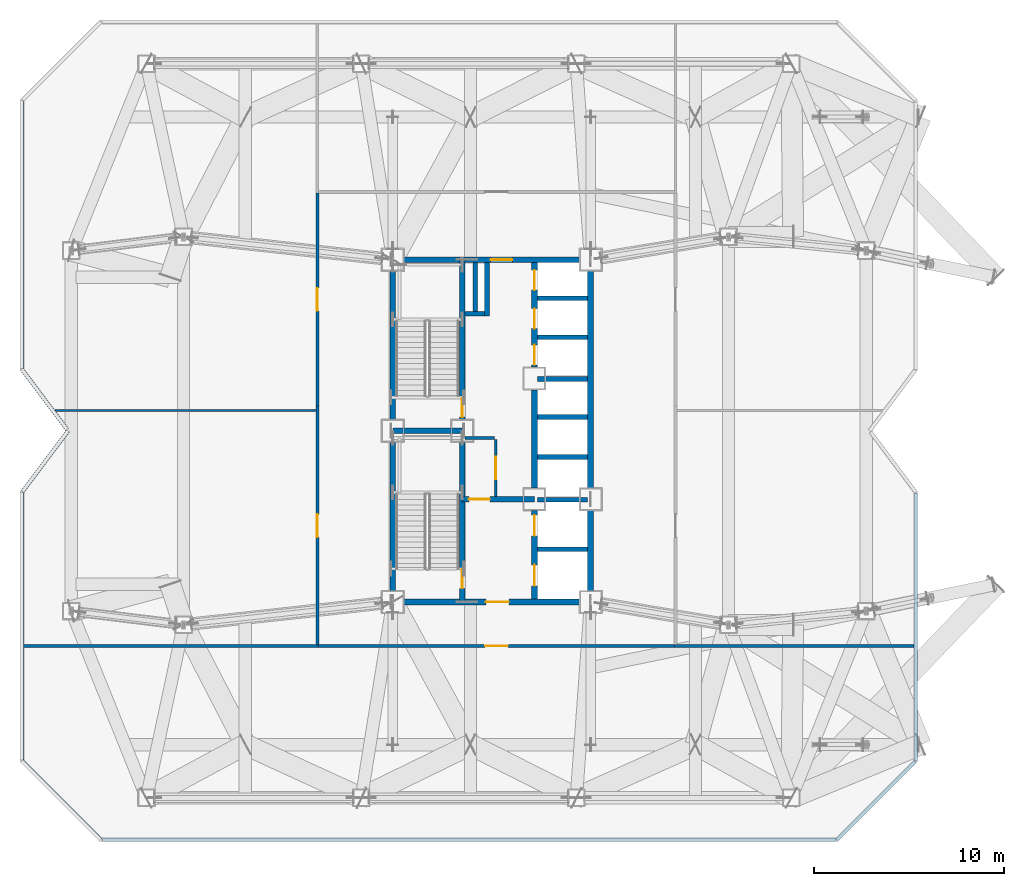
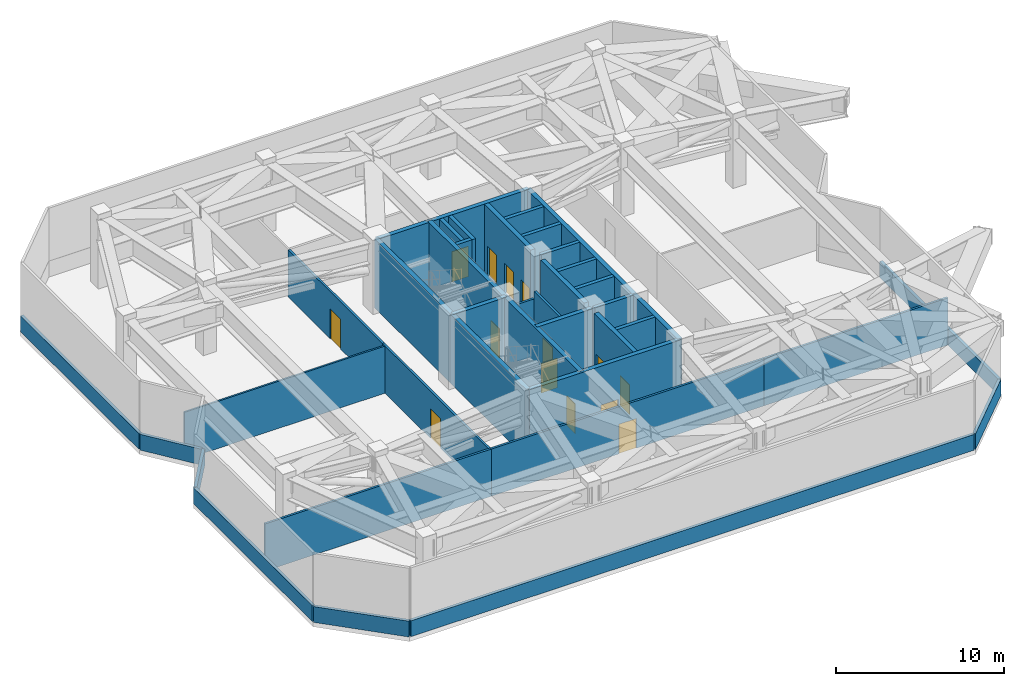
# One storey, part 15 of 19: 39 walls, 14 doors, 14 openings.
"""IFC4 building model written with IfcOpenShell, lengths in metres."""

from ifc_helpers import new_model, si_unit, direction, frame, frame_2d, origin, place, context, subcontext, project, spatial, rectangle, extrude, material, layer, layer_set, type_object, element, fill, save


model = new_model("IFC4")

# Units and contexts
model_context = context("Model", 3, precision=1e-05, world=origin(), true_north=direction((0.0, 1.0)))
body_context = subcontext(model_context, "Body", "Model", "MODEL_VIEW")
ifc_project = project(units=[si_unit("LENGTHUNIT", "METRE"), si_unit("AREAUNIT", "SQUARE_METRE"), si_unit("VOLUMEUNIT", "CUBIC_METRE"), si_unit("PLANEANGLEUNIT", "RADIAN"), si_unit("MASSUNIT", "GRAM", prefix="KILO")], contexts=[model_context])

# Site, building, storey
site_placement = place(None, origin())
site = spatial("IfcSite", under=ifc_project, at=site_placement, CompositionType="ELEMENT")
building_placement = place(site_placement, origin())
building = spatial("IfcBuilding", under=site, at=building_placement, Name="Khamvora Tower", CompositionType="ELEMENT")
storey_placement = place(building_placement, frame((0.0, 0.0, 150.5)))
storey = spatial("IfcBuildingStorey", under=building, at=storey_placement, Name="L38", CompositionType="ELEMENT", Elevation=150.5)

# Walls
ifc_material_1 = material(Name="Concrete C50/60", Category="concrete")
ifc_layer_1 = layer(ifc_material_1, 0.300048828125)
ifc_layer_set_1 = layer_set([ifc_layer_1], Name="Concrete C50/60")
wall_type_1 = type_object("IfcWallType", Name="WAL-CORE-300", PredefinedType="SHEAR", material=ifc_layer_set_1)
for number, where, z_axis, x_axis, name in (
    (1, (29.0, 19.0, 0.0), (0.0, 0.0, 1.0), (0.0, 1.0, 0.0), "L38 central core west south wall"),
    (2, (29.0, 28.0, 0.0), (0.0, 0.0, 1.0), (0.0, 1.0, 0.0), "L38 central core west north wall"),
):
    element("IfcWall", number, at=place(storey_placement, frame(where, z_axis=z_axis, x_axis=x_axis)), inside=storey, type_object=wall_type_1, Name=name, PredefinedType="SHEAR", context=body_context, shape_type="SweptSolid", body=[
        extrude(rectangle(XDim=9.0, YDim=0.300048828125, at=frame_2d((4.5, 0.0))), origin(), (0.0, 0.0, 1.0), 4.97998046875),
    ])

# Wall, opening, door
wall_1_placement = place(storey_placement, frame((29.0, 19.0, 0.0), z_axis=(0.0, 0.0, 1.0), x_axis=(1.0, 0.0, 0.0)))
wall_1 = element("IfcWall", 3, at=wall_1_placement, inside=storey, type_object=wall_type_1, Name="L38 central core south wall", PredefinedType="SHEAR", context=body_context, shape_type="SweptSolid", body=[
    extrude(rectangle(XDim=10.39990234375, YDim=0.300048828125, at=frame_2d((5.199951171875, 0.0))), origin(), (0.0, 0.0, 1.0), 4.97998046875),
])
opening_1_placement = place(wall_1_placement, frame((4.89990234375, 0.0, 0.0)))
opening_1 = element("IfcOpeningElement", 4, at=opening_1_placement, cuts=wall_1, Name="Opening D-CR1", PredefinedType="OPENING", context=body_context, shape_type="SweptSolid", body=[
    extrude(rectangle(XDim=1.199951171875, YDim=2.14990234375, at=frame_2d((0.60009765625, 1.074951171875))), frame((0.0, 0.159912109375, 0.0), z_axis=(0.0, -1.0, 0.0), x_axis=(1.0, 0.0, 0.0)), (0.0, 0.0, 1.0), 0.320068359375),
])
ifc_material_2 = material(Name="Powder-Coated Steel and Hardwood Leaf", Category="steel")
door_type_1 = type_object("IfcDoorType", Name="DOR-CORR-1200", OperationType="NOTDEFINED", PredefinedType="DOOR", material=ifc_material_2)
door_1_placement = place(opening_1_placement, origin())
door_1 = element("IfcDoor", 5, at=door_1_placement, inside=storey, type_object=door_type_1, Name="L38 south core lobby to corridor fire door", OperationType="SINGLE_SWING_RIGHT", OverallHeight=2.14990234375, OverallWidth=1.199951171875, PredefinedType="DOOR", context=body_context, shape_type="SweptSolid", body=[
    extrude(rectangle(XDim=1.199951171875, YDim=2.14990234375, at=frame_2d((0.60009765625, 1.074951171875))), frame((0.0, 0.02490234375, 0.0), z_axis=(0.0, -1.0, 0.0), x_axis=(1.0, 0.0, 0.0)), (0.0, 0.0, 1.0), 0.050048828125),
])
fill(opening_1, door_1)

wall_2_placement = place(storey_placement, frame((29.0, 37.0, 0.0), z_axis=(0.0, 0.0, 1.0), x_axis=(1.0, 0.0, 0.0)))
wall_2 = element("IfcWall", 6, at=wall_2_placement, inside=storey, type_object=wall_type_1, Name="L38 central core north wall", PredefinedType="SHEAR", context=body_context, shape_type="SweptSolid", body=[
    extrude(rectangle(XDim=10.39990234375, YDim=0.300048828125, at=frame_2d((5.199951171875, 0.0))), origin(), (0.0, 0.0, 1.0), 4.97998046875),
])
opening_2_placement = place(wall_2_placement, frame((5.139892578125, 0.0, 0.0)))
opening_2 = element("IfcOpeningElement", 7, at=opening_2_placement, cuts=wall_2, Name="Opening D-SC1", PredefinedType="OPENING", context=body_context, shape_type="SweptSolid", body=[
    extrude(rectangle(XDim=1.14990234375, YDim=2.199951171875, at=frame_2d((0.574951171875, 1.10009765625))), frame((0.0, 0.159912109375, 0.0), z_axis=(0.0, -1.0, 0.0), x_axis=(1.0, 0.0, 0.0)), (0.0, 0.0, 1.0), 0.320068359375),
])
door_type_2 = type_object("IfcDoorType", Name="DOR-SCHL-1150", OperationType="NOTDEFINED", PredefinedType="DOOR", material=ifc_material_2)
door_2_placement = place(opening_2_placement, origin())
door_2 = element("IfcDoor", 8, at=door_2_placement, inside=storey, type_object=door_type_2, Name="L38 north core lobby to corridor fire door", OperationType="SINGLE_SWING_LEFT", OverallHeight=2.199951171875, OverallWidth=1.14990234375, PredefinedType="DOOR", context=body_context, shape_type="SweptSolid", body=[
    extrude(rectangle(XDim=1.14990234375, YDim=2.199951171875, at=frame_2d((0.574951171875, 1.10009765625))), frame((0.0, 0.02490234375, 0.0), z_axis=(0.0, -1.0, 0.0), x_axis=(1.0, 0.0, 0.0)), (0.0, 0.0, 1.0), 0.050048828125),
])
fill(opening_2, door_2)

# Walls
wall_3_placement = place(storey_placement, frame((39.39990234375, 19.0, 0.0), z_axis=(0.0, 0.0, 1.0), x_axis=(0.0, 1.0, 0.0)))
element("IfcWall", 9, at=wall_3_placement, inside=storey, type_object=wall_type_1, Name="L38 central core east south wall", PredefinedType="SHEAR", context=body_context, shape_type="SweptSolid", body=[
    extrude(rectangle(XDim=5.39990234375, YDim=0.300048828125, at=frame_2d((2.699951171875, 0.0))), origin(), (0.0, 0.0, 1.0), 4.97998046875),
])
wall_4_placement = place(storey_placement, frame((39.39990234375, 24.39990234375, 0.0), z_axis=(0.0, 0.0, 1.0), x_axis=(0.0, 1.0, 0.0)))
element("IfcWall", 10, at=wall_4_placement, inside=storey, type_object=wall_type_1, Name="L38 central core east north wall", PredefinedType="SHEAR", context=body_context, shape_type="SweptSolid", body=[
    extrude(rectangle(XDim=12.60009765625, YDim=0.300048828125, at=frame_2d((6.300048828125, 0.0))), origin(), (0.0, 0.0, 1.0), 4.97998046875),
])

# Wall, opening, door
wall_5_placement = place(storey_placement, frame((32.64990234375, 19.0, 0.0), z_axis=(0.0, 0.0, 1.0), x_axis=(0.0, 1.0, 0.0)))
wall_5 = element("IfcWall", 11, at=wall_5_placement, inside=storey, type_object=wall_type_1, Name="L38 central core stair south spine wall", PredefinedType="SHEAR", context=body_context, shape_type="SweptSolid", body=[
    extrude(rectangle(XDim=9.0, YDim=0.300048828125, at=frame_2d((4.5, 0.0))), origin(), (0.0, 0.0, 1.0), 4.97998046875),
])
opening_3_placement = place(wall_5_placement, frame((0.719970703125, 0.0, 0.0)))
opening_3 = element("IfcOpeningElement", 12, at=opening_3_placement, cuts=wall_5, Name="Opening D-ST1", PredefinedType="OPENING", context=body_context, shape_type="SweptSolid", body=[
    extrude(rectangle(XDim=1.0, YDim=2.14990234375, at=frame_2d((0.5, 1.074951171875))), frame((0.0, 0.159912109375, 0.0), z_axis=(0.0, -1.0, 0.0), x_axis=(1.0, 0.0, 0.0)), (0.0, 0.0, 1.0), 0.320068359375),
])
door_type_3 = type_object("IfcDoorType", Name="DOR-STAIR-1000", OperationType="NOTDEFINED", PredefinedType="DOOR", material=ifc_material_2)
door_3_placement = place(opening_3_placement, origin())
door_3 = element("IfcDoor", 13, at=door_3_placement, inside=storey, type_object=door_type_3, Name="L38 exit stair ST-01 fire door", OperationType="SINGLE_SWING_RIGHT", OverallHeight=2.14990234375, OverallWidth=1.0, PredefinedType="DOOR", context=body_context, shape_type="SweptSolid", body=[
    extrude(rectangle(XDim=1.0, YDim=2.14990234375, at=frame_2d((0.5, 1.074951171875))), frame((0.0, 0.02490234375, 0.0), z_axis=(0.0, -1.0, 0.0), x_axis=(1.0, 0.0, 0.0)), (0.0, 0.0, 1.0), 0.050048828125),
])
fill(opening_3, door_3)

wall_6_placement = place(storey_placement, frame((32.64990234375, 28.0, 0.0), z_axis=(0.0, 0.0, 1.0), x_axis=(0.0, 1.0, 0.0)))
wall_6 = element("IfcWall", 14, at=wall_6_placement, inside=storey, type_object=wall_type_1, Name="L38 central core stair north spine wall", PredefinedType="SHEAR", context=body_context, shape_type="SweptSolid", body=[
    extrude(rectangle(XDim=9.0, YDim=0.300048828125, at=frame_2d((4.5, 0.0))), origin(), (0.0, 0.0, 1.0), 4.97998046875),
])
opening_4_placement = place(wall_6_placement, frame((0.719970703125, 0.0, 0.0)))
opening_4 = element("IfcOpeningElement", 15, at=opening_4_placement, cuts=wall_6, Name="Opening D-ST1", PredefinedType="OPENING", context=body_context, shape_type="SweptSolid", body=[
    extrude(rectangle(XDim=1.0, YDim=2.14990234375, at=frame_2d((0.5, 1.074951171875))), frame((0.0, 0.159912109375, 0.0), z_axis=(0.0, -1.0, 0.0), x_axis=(1.0, 0.0, 0.0)), (0.0, 0.0, 1.0), 0.320068359375),
])
door_4_placement = place(opening_4_placement, origin())
door_4 = element("IfcDoor", 16, at=door_4_placement, inside=storey, type_object=door_type_3, Name="L38 exit stair ST-02 fire door", OperationType="SINGLE_SWING_RIGHT", OverallHeight=2.14990234375, OverallWidth=1.0, PredefinedType="DOOR", context=body_context, shape_type="SweptSolid", body=[
    extrude(rectangle(XDim=1.0, YDim=2.14990234375, at=frame_2d((0.5, 1.074951171875))), frame((0.0, 0.02490234375, 0.0), z_axis=(0.0, -1.0, 0.0), x_axis=(1.0, 0.0, 0.0)), (0.0, 0.0, 1.0), 0.050048828125),
])
fill(opening_4, door_4)

# Wall
wall_7_placement = place(storey_placement, frame((29.0, 28.0, 0.0), z_axis=(0.0, 0.0, 1.0), x_axis=(1.0, 0.0, 0.0)))
element("IfcWall", 17, at=wall_7_placement, inside=storey, type_object=wall_type_1, Name="L38 central core stair cross wall", PredefinedType="SHEAR", context=body_context, shape_type="SweptSolid", body=[
    extrude(rectangle(XDim=3.64990234375, YDim=0.300048828125, at=frame_2d((1.824951171875, 0.0))), origin(), (0.0, 0.0, 1.0), 4.97998046875),
])

# Wall, opening, door
wall_8_placement = place(storey_placement, frame((32.64990234375, 24.39990234375, 0.0), z_axis=(0.0, 0.0, 1.0), x_axis=(1.0, 0.0, 0.0)))
wall_8 = element("IfcWall", 18, at=wall_8_placement, inside=storey, type_object=wall_type_1, Name="L38 central core firefighting lobby north wall", PredefinedType="SHEAR", context=body_context, shape_type="SweptSolid", body=[
    extrude(rectangle(XDim=3.800048828125, YDim=0.300048828125, at=frame_2d((1.89990234375, 0.0))), origin(), (0.0, 0.0, 1.0), 4.97998046875),
])
opening_5_placement = place(wall_8_placement, frame((0.35009765625, 0.0, 0.0)))
opening_5 = element("IfcOpeningElement", 19, at=opening_5_placement, cuts=wall_8, Name="Opening D-FF1", PredefinedType="OPENING", context=body_context, shape_type="SweptSolid", body=[
    extrude(rectangle(XDim=1.10009765625, YDim=2.14990234375, at=frame_2d((0.550048828125, 1.074951171875))), frame((0.0, 0.159912109375, 0.0), z_axis=(0.0, -1.0, 0.0), x_axis=(1.0, 0.0, 0.0)), (0.0, 0.0, 1.0), 0.320068359375),
])
door_type_4 = type_object("IfcDoorType", Name="DOR-FFLOB-1100", OperationType="NOTDEFINED", PredefinedType="DOOR", material=ifc_material_2)
door_5_placement = place(opening_5_placement, origin())
door_5 = element("IfcDoor", 20, at=door_5_placement, inside=storey, type_object=door_type_4, Name="L38 firefighting lobby smoke-seal fire door", OperationType="SINGLE_SWING_LEFT", OverallHeight=2.14990234375, OverallWidth=1.10009765625, PredefinedType="DOOR", context=body_context, shape_type="SweptSolid", body=[
    extrude(rectangle(XDim=1.10009765625, YDim=2.14990234375, at=frame_2d((0.550048828125, 1.074951171875))), frame((0.0, 0.02490234375, 0.0), z_axis=(0.0, -1.0, 0.0), x_axis=(1.0, 0.0, 0.0)), (0.0, 0.0, 1.0), 0.050048828125),
])
fill(opening_5, door_5)

# Wall, openings, doors
wall_9_placement = place(storey_placement, frame((36.449951171875, 19.154052734375, 0.0), z_axis=(0.0, 0.0, 1.0), x_axis=(0.0, 1.0, 0.0)))
wall_9 = element("IfcWall", 21, at=wall_9_placement, inside=storey, type_object=wall_type_1, Name="L38 central core lift bank south wall", PredefinedType="SHEAR", context=body_context, shape_type="SweptSolid", body=[
    extrude(rectangle(XDim=4.64599609375, YDim=0.300048828125, at=frame_2d((2.322998046875, 0.0))), origin(), (0.0, 0.0, 1.0), 4.97998046875),
])
opening_6_placement = place(wall_9_placement, frame((0.696044921875, 0.0, 0.0)))
opening_6 = element("IfcOpeningElement", 22, at=opening_6_placement, cuts=wall_9, Name="Opening LD-FFL", PredefinedType="OPENING", context=body_context, shape_type="SweptSolid", body=[
    extrude(rectangle(XDim=1.10009765625, YDim=2.14990234375, at=frame_2d((0.550048828125, 1.074951171875))), frame((0.0, 0.159912109375, 0.0), z_axis=(0.0, -1.0, 0.0), x_axis=(1.0, 0.0, 0.0)), (0.0, 0.0, 1.0), 0.320068359375),
])
opening_7_placement = place(wall_9_placement, frame((3.31591796875, 0.0, 0.0)))
opening_7 = element("IfcOpeningElement", 23, at=opening_7_placement, cuts=wall_9, Name="Opening LD-FFL", PredefinedType="OPENING", context=body_context, shape_type="SweptSolid", body=[
    extrude(rectangle(XDim=1.10009765625, YDim=2.14990234375, at=frame_2d((0.550048828125, 1.074951171875))), frame((0.0, 0.159912109375, 0.0), z_axis=(0.0, -1.0, 0.0), x_axis=(1.0, 0.0, 0.0)), (0.0, 0.0, 1.0), 0.320068359375),
])
door_type_5 = type_object("IfcDoorType", Name="DOR-LIFT-1100", OperationType="SLIDING_TO_LEFT", PredefinedType="DOOR", material=ifc_material_2)
door_6_placement = place(opening_6_placement, origin())
door_6 = element("IfcDoor", 24, at=door_6_placement, inside=storey, type_object=door_type_5, Name="L38 lift landing sliding door FFL-01", OperationType="SLIDING_TO_LEFT", OverallHeight=2.14990234375, OverallWidth=1.10009765625, PredefinedType="DOOR", context=body_context, shape_type="SweptSolid", body=[
    extrude(rectangle(XDim=1.10009765625, YDim=2.14990234375, at=frame_2d((0.550048828125, 1.074951171875))), frame((0.0, 0.02490234375, 0.0), z_axis=(0.0, -1.0, 0.0), x_axis=(1.0, 0.0, 0.0)), (0.0, 0.0, 1.0), 0.050048828125),
])
fill(opening_6, door_6)
door_7_placement = place(opening_7_placement, origin())
door_7 = element("IfcDoor", 25, at=door_7_placement, inside=storey, type_object=door_type_5, Name="L38 lift landing sliding door FFL-02", OperationType="SLIDING_TO_LEFT", OverallHeight=2.14990234375, OverallWidth=1.10009765625, PredefinedType="DOOR", context=body_context, shape_type="SweptSolid", body=[
    extrude(rectangle(XDim=1.10009765625, YDim=2.14990234375, at=frame_2d((0.550048828125, 1.074951171875))), frame((0.0, 0.02490234375, 0.0), z_axis=(0.0, -1.0, 0.0), x_axis=(1.0, 0.0, 0.0)), (0.0, 0.0, 1.0), 0.050048828125),
])
fill(opening_7, door_7)

# Wall
wall_10_placement = place(storey_placement, frame((36.449951171875, 25.0, 0.0), z_axis=(0.0, 0.0, 1.0), x_axis=(0.0, 1.0, 0.0)))
element("IfcWall", 26, at=wall_10_placement, inside=storey, type_object=wall_type_1, Name="L38 central core lift bank central wall", PredefinedType="SHEAR", context=body_context, shape_type="SweptSolid", body=[
    extrude(rectangle(XDim=5.14990234375, YDim=0.300048828125, at=frame_2d((2.574951171875, 0.0))), origin(), (0.0, 0.0, 1.0), 4.97998046875),
])

# Wall, openings, doors
wall_11_placement = place(storey_placement, frame((36.449951171875, 31.35009765625, 0.0), z_axis=(0.0, 0.0, 1.0), x_axis=(0.0, 1.0, 0.0)))
wall_11 = element("IfcWall", 27, at=wall_11_placement, inside=storey, type_object=wall_type_1, Name="L38 central core lift bank north wall", PredefinedType="SHEAR", context=body_context, shape_type="SweptSolid", body=[
    extrude(rectangle(XDim=5.495849609375, YDim=0.300048828125, at=frame_2d((2.748046875, 0.0))), origin(), (0.0, 0.0, 1.0), 4.97998046875),
])
opening_8_placement = place(wall_11_placement, frame((0.1201171875, 0.0, 0.0)))
opening_8 = element("IfcOpeningElement", 28, at=opening_8_placement, cuts=wall_11, Name="Opening LD-PL", PredefinedType="OPENING", context=body_context, shape_type="SweptSolid", body=[
    extrude(rectangle(XDim=1.050048828125, YDim=2.14990234375, at=frame_2d((0.52490234375, 1.074951171875))), frame((0.0, 0.159912109375, 0.0), z_axis=(0.0, -1.0, 0.0), x_axis=(1.0, 0.0, 0.0)), (0.0, 0.0, 1.0), 0.320068359375),
])
opening_9_placement = place(wall_11_placement, frame((2.02490234375, 0.0, 0.0)))
opening_9 = element("IfcOpeningElement", 29, at=opening_9_placement, cuts=wall_11, Name="Opening LD-PL", PredefinedType="OPENING", context=body_context, shape_type="SweptSolid", body=[
    extrude(rectangle(XDim=1.050048828125, YDim=2.14990234375, at=frame_2d((0.52490234375, 1.074951171875))), frame((0.0, 0.159912109375, 0.0), z_axis=(0.0, -1.0, 0.0), x_axis=(1.0, 0.0, 0.0)), (0.0, 0.0, 1.0), 0.320068359375),
])
opening_10_placement = place(wall_11_placement, frame((4.044921875, 0.0, 0.0)))
opening_10 = element("IfcOpeningElement", 30, at=opening_10_placement, cuts=wall_11, Name="Opening LD-PL", PredefinedType="OPENING", context=body_context, shape_type="SweptSolid", body=[
    extrude(rectangle(XDim=1.050048828125, YDim=2.14990234375, at=frame_2d((0.52490234375, 1.074951171875))), frame((0.0, 0.159912109375, 0.0), z_axis=(0.0, -1.0, 0.0), x_axis=(1.0, 0.0, 0.0)), (0.0, 0.0, 1.0), 0.320068359375),
])
door_type_6 = type_object("IfcDoorType", Name="DOR-LIFT-1050", OperationType="SLIDING_TO_LEFT", PredefinedType="DOOR", material=ifc_material_2)
door_8_placement = place(opening_8_placement, origin())
door_8 = element("IfcDoor", 31, at=door_8_placement, inside=storey, type_object=door_type_6, Name="L38 lift landing sliding door PH-01", OperationType="SLIDING_TO_LEFT", OverallHeight=2.14990234375, OverallWidth=1.050048828125, PredefinedType="DOOR", context=body_context, shape_type="SweptSolid", body=[
    extrude(rectangle(XDim=1.050048828125, YDim=2.14990234375, at=frame_2d((0.52490234375, 1.074951171875))), frame((0.0, 0.02490234375, 0.0), z_axis=(0.0, -1.0, 0.0), x_axis=(1.0, 0.0, 0.0)), (0.0, 0.0, 1.0), 0.050048828125),
])
fill(opening_8, door_8)
door_9_placement = place(opening_9_placement, origin())
door_9 = element("IfcDoor", 32, at=door_9_placement, inside=storey, type_object=door_type_6, Name="L38 lift landing sliding door PH-02", OperationType="SLIDING_TO_LEFT", OverallHeight=2.14990234375, OverallWidth=1.050048828125, PredefinedType="DOOR", context=body_context, shape_type="SweptSolid", body=[
    extrude(rectangle(XDim=1.050048828125, YDim=2.14990234375, at=frame_2d((0.52490234375, 1.074951171875))), frame((0.0, 0.02490234375, 0.0), z_axis=(0.0, -1.0, 0.0), x_axis=(1.0, 0.0, 0.0)), (0.0, 0.0, 1.0), 0.050048828125),
])
fill(opening_9, door_9)
door_10_placement = place(opening_10_placement, origin())
door_10 = element("IfcDoor", 33, at=door_10_placement, inside=storey, type_object=door_type_6, Name="L38 lift landing sliding door PH-03", OperationType="SLIDING_TO_LEFT", OverallHeight=2.14990234375, OverallWidth=1.050048828125, PredefinedType="DOOR", context=body_context, shape_type="SweptSolid", body=[
    extrude(rectangle(XDim=1.050048828125, YDim=2.14990234375, at=frame_2d((0.52490234375, 1.074951171875))), frame((0.0, 0.02490234375, 0.0), z_axis=(0.0, -1.0, 0.0), x_axis=(1.0, 0.0, 0.0)), (0.0, 0.0, 1.0), 0.050048828125),
])
fill(opening_10, door_10)

# Wall
ifc_material_3 = material(Name="Fire-Rated Drywall and Steel Stud", Category="steel")
ifc_layer_2 = layer(ifc_material_3, 0.14990234375)
ifc_layer_set_2 = layer_set([ifc_layer_2], Name="Fire-Rated Drywall and Steel Stud")
wall_type_2 = type_object("IfcWallType", Name="WAL-CORR-150", PredefinedType="STANDARD", material=ifc_layer_set_2)
wall_12_placement = place(storey_placement, frame((32.7939453125, 27.614990234375, 0.0), z_axis=(0.0, 0.0, 1.0), x_axis=(1.0, 0.0, 0.0)))
element("IfcWall", 34, at=wall_12_placement, inside=storey, type_object=wall_type_2, Name="L38 interior partition wall 001", PredefinedType="STANDARD", context=body_context, shape_type="SweptSolid", body=[
    extrude(rectangle(XDim=1.55615234375, YDim=0.14990234375, at=frame_2d((0.778076171875, 0.0))), origin(), (0.0, 0.0, 1.0), 4.43701171875),
])

# Wall, opening, door
wall_13_placement = place(storey_placement, frame((34.4150390625, 27.550048828125, 0.0), z_axis=(0.0, 0.0, 1.0), x_axis=(0.0, -1.0, 0.0)))
wall_13 = element("IfcWall", 35, at=wall_13_placement, inside=storey, type_object=wall_type_2, Name="L38 interior partition wall 002", PredefinedType="STANDARD", context=body_context, shape_type="SweptSolid", body=[
    extrude(rectangle(XDim=3.006103515625, YDim=0.14990234375, at=frame_2d((1.5029296875, 0.0))), origin(), (0.0, 0.0, 1.0), 4.97998046875),
])
opening_11_placement = place(wall_13_placement, frame((0.903076171875, 0.0, 0.0)))
opening_11 = element("IfcOpeningElement", 36, at=opening_11_placement, cuts=wall_13, Name="Opening D-PL1", PredefinedType="OPENING", context=body_context, shape_type="SweptSolid", body=[
    extrude(rectangle(XDim=1.199951171875, YDim=2.14990234375, at=frame_2d((0.60009765625, 1.074951171875))), frame((0.0, 0.0849609375, 0.0), z_axis=(0.0, -1.0, 0.0), x_axis=(1.0, 0.0, 0.0)), (0.0, 0.0, 1.0), 0.169921875),
])
door_type_7 = type_object("IfcDoorType", Name="DOR-PLNT-1200", OperationType="NOTDEFINED", PredefinedType="DOOR", material=ifc_material_2)
door_11_placement = place(opening_11_placement, origin())
door_11 = element("IfcDoor", 37, at=door_11_placement, inside=storey, type_object=door_type_7, Name="L38 interior door CSR-PCR", OperationType="SINGLE_SWING_RIGHT", OverallHeight=2.14990234375, OverallWidth=1.199951171875, PredefinedType="DOOR", context=body_context, shape_type="SweptSolid", body=[
    extrude(rectangle(XDim=1.199951171875, YDim=2.14990234375, at=frame_2d((0.60009765625, 1.074951171875))), frame((0.0, 0.02490234375, 0.0), z_axis=(0.0, -1.0, 0.0), x_axis=(1.0, 0.0, 0.0)), (0.0, 0.0, 1.0), 0.050048828125),
])
fill(opening_11, door_11)

wall_14_placement = place(storey_placement, frame((43.800048828125, 16.68505859375, 0.0), z_axis=(0.0, 0.0, 1.0), x_axis=(-1.0, 0.0, 0.0)))
wall_14 = element("IfcWall", 38, at=wall_14_placement, inside=storey, type_object=wall_type_2, Name="L38 interior partition wall 003", PredefinedType="STANDARD", context=body_context, shape_type="SweptSolid", body=[
    extrude(rectangle(XDim=18.699951171875, YDim=0.14990234375, at=frame_2d((9.35009765625, 0.0))), origin(), (0.0, 0.0, 1.0), 3.419921875),
])
opening_12_placement = place(wall_14_placement, frame((8.75, 0.0, 0.0)))
opening_12 = element("IfcOpeningElement", 39, at=opening_12_placement, cuts=wall_14, Name="Opening D-PL1", PredefinedType="OPENING", context=body_context, shape_type="SweptSolid", body=[
    extrude(rectangle(XDim=1.199951171875, YDim=2.14990234375, at=frame_2d((0.60009765625, 1.074951171875))), frame((0.0, 0.0849609375, 0.0), z_axis=(0.0, -1.0, 0.0), x_axis=(1.0, 0.0, 0.0)), (0.0, 0.0, 1.0), 0.169921875),
])
door_12_placement = place(opening_12_placement, origin())
door_12 = element("IfcDoor", 40, at=door_12_placement, inside=storey, type_object=door_type_7, Name="L38 interior door PCOR-REF", OperationType="SINGLE_SWING_LEFT", OverallHeight=2.14990234375, OverallWidth=1.199951171875, PredefinedType="DOOR", context=body_context, shape_type="SweptSolid", body=[
    extrude(rectangle(XDim=1.199951171875, YDim=2.14990234375, at=frame_2d((0.60009765625, 1.074951171875))), frame((0.0, 0.02490234375, 0.0), z_axis=(0.0, -1.0, 0.0), x_axis=(1.0, 0.0, 0.0)), (0.0, 0.0, 1.0), 0.050048828125),
])
fill(opening_12, door_12)

wall_15_placement = place(storey_placement, frame((25.034912109375, 16.75, 0.0), z_axis=(0.0, 0.0, 1.0), x_axis=(0.0, 1.0, 0.0)))
wall_15 = element("IfcWall", 41, at=wall_15_placement, inside=storey, type_object=wall_type_2, Name="L38 interior partition wall 004", PredefinedType="STANDARD", context=body_context, shape_type="SweptSolid", body=[
    extrude(rectangle(XDim=12.56396484375, YDim=0.14990234375, at=frame_2d((6.281982421875, 0.0))), origin(), (0.0, 0.0, 1.0), 3.419921875),
])
opening_13_placement = place(wall_15_placement, frame((5.660888671875, 0.0, 0.0)))
opening_13 = element("IfcOpeningElement", 42, at=opening_13_placement, cuts=wall_15, Name="Opening D-PL1", PredefinedType="OPENING", context=body_context, shape_type="SweptSolid", body=[
    extrude(rectangle(XDim=1.199951171875, YDim=2.14990234375, at=frame_2d((0.60009765625, 1.074951171875))), frame((0.0, 0.0849609375, 0.0), z_axis=(0.0, -1.0, 0.0), x_axis=(1.0, 0.0, 0.0)), (0.0, 0.0, 1.0), 0.169921875),
])
door_13_placement = place(opening_13_placement, origin())
door_13 = element("IfcDoor", 43, at=door_13_placement, inside=storey, type_object=door_type_7, Name="L38 interior door PCOR-AHU", OperationType="SINGLE_SWING_RIGHT", OverallHeight=2.14990234375, OverallWidth=1.199951171875, PredefinedType="DOOR", context=body_context, shape_type="SweptSolid", body=[
    extrude(rectangle(XDim=1.199951171875, YDim=2.14990234375, at=frame_2d((0.60009765625, 1.074951171875))), frame((0.0, 0.02490234375, 0.0), z_axis=(0.0, -1.0, 0.0), x_axis=(1.0, 0.0, 0.0)), (0.0, 0.0, 1.0), 0.050048828125),
])
fill(opening_13, door_13)

wall_16_placement = place(storey_placement, frame((25.034912109375, 29.31396484375, 0.0), z_axis=(0.0, 0.0, 1.0), x_axis=(0.0, 1.0, 0.0)))
wall_16 = element("IfcWall", 44, at=wall_16_placement, inside=storey, type_object=wall_type_2, Name="L38 interior partition wall 005", PredefinedType="STANDARD", context=body_context, shape_type="SweptSolid", body=[
    extrude(rectangle(XDim=11.18603515625, YDim=0.14990234375, at=frame_2d((5.593017578125, 0.0))), origin(), (0.0, 0.0, 1.0), 3.419921875),
])
opening_14_placement = place(wall_16_placement, frame((4.992919921875, 0.0, 0.0)))
opening_14 = element("IfcOpeningElement", 45, at=opening_14_placement, cuts=wall_16, Name="Opening D-PL1", PredefinedType="OPENING", context=body_context, shape_type="SweptSolid", body=[
    extrude(rectangle(XDim=1.199951171875, YDim=2.14990234375, at=frame_2d((0.60009765625, 1.074951171875))), frame((0.0, 0.0849609375, 0.0), z_axis=(0.0, -1.0, 0.0), x_axis=(1.0, 0.0, 0.0)), (0.0, 0.0, 1.0), 0.169921875),
])
door_14_placement = place(opening_14_placement, origin())
door_14 = element("IfcDoor", 46, at=door_14_placement, inside=storey, type_object=door_type_7, Name="L38 interior door PCOR-SMK", OperationType="SINGLE_SWING_LEFT", OverallHeight=2.14990234375, OverallWidth=1.199951171875, PredefinedType="DOOR", context=body_context, shape_type="SweptSolid", body=[
    extrude(rectangle(XDim=1.199951171875, YDim=2.14990234375, at=frame_2d((0.60009765625, 1.074951171875))), frame((0.0, 0.02490234375, 0.0), z_axis=(0.0, -1.0, 0.0), x_axis=(1.0, 0.0, 0.0)), (0.0, 0.0, 1.0), 0.050048828125),
])
fill(opening_14, door_14)

# Walls
wall_17_placement = place(storey_placement, frame((9.592041015625, 16.68505859375, 0.0), z_axis=(0.0, 0.0, 1.0), x_axis=(1.0, 0.0, 0.0)))
element("IfcWall", 47, at=wall_17_placement, inside=storey, type_object=wall_type_2, Name="L38 interior partition wall 009", PredefinedType="STANDARD", context=body_context, shape_type="SweptSolid", body=[
    extrude(rectangle(XDim=15.508056640625, YDim=0.14990234375, at=frame_2d((7.75390625, 0.0))), origin(), (0.0, 0.0, 1.0), 3.419921875),
])
wall_18_placement = place(storey_placement, frame((43.800048828125, 16.68505859375, 0.0), z_axis=(0.0, 0.0, 1.0), x_axis=(1.0, 0.0, 0.0)))
element("IfcWall", 48, at=wall_18_placement, inside=storey, type_object=wall_type_2, Name="L38 interior partition wall 010", PredefinedType="STANDARD", context=body_context, shape_type="SweptSolid", body=[
    extrude(rectangle(XDim=12.60791015625, YDim=0.14990234375, at=frame_2d((6.303955078125, 0.0))), origin(), (0.0, 0.0, 1.0), 3.419921875),
])
ifc_material_4 = material(Name="Precast concrete C40/50", Category="concrete")
ifc_layer_3 = layer(ifc_material_4, 0.199951171875)
ifc_layer_set_3 = layer_set([ifc_layer_3], Name="Precast concrete C40/50")
wall_type_3 = type_object("IfcWallType", Name="WAL-EXT-200", PredefinedType="STANDARD", material=ifc_layer_set_3)
wall_19_placement = place(storey_placement, frame((13.64111328125, 6.5, 0.0), z_axis=(0.0, 0.0, 1.0), x_axis=(-0.707106781187, 0.707106781187, 0.0)))
element("IfcWall", 49, at=wall_19_placement, inside=storey, type_object=wall_type_3, Name="L38 plant perimeter spandrel wall 01.1", PredefinedType="STANDARD", context=body_context, shape_type="SweptSolid", body=[
    extrude(rectangle(XDim=5.8564453125, YDim=0.199951171875, at=frame_2d((2.92822265625, 0.0))), origin(), (0.0, 0.0, 1.0), 1.14990234375),
])
wall_20_placement = place(storey_placement, frame((9.5, 10.7041015625, 0.0), z_axis=(0.0, 0.0, 1.0), x_axis=(0.0, 1.0, 0.0)))
element("IfcWall", 50, at=wall_20_placement, inside=storey, type_object=wall_type_3, Name="L38 plant perimeter spandrel wall 02.1", PredefinedType="STANDARD", context=body_context, shape_type="SweptSolid", body=[
    extrude(rectangle(XDim=14.06298828125, YDim=0.199951171875, at=frame_2d((7.031494140625, 0.0))), origin(), (0.0, 0.0, 1.0), 1.14990234375),
])
wall_21_placement = place(storey_placement, frame((9.530029296875, 24.806884765625, 0.0), z_axis=(0.0, 0.0, 1.0), x_axis=(0.600029358831, 0.799977980035, 0.0)))
element("IfcWall", 51, at=wall_21_placement, inside=storey, type_object=wall_type_3, Name="L38 plant perimeter spandrel wall 03.1", PredefinedType="STANDARD", context=body_context, shape_type="SweptSolid", body=[
    extrude(rectangle(XDim=3.991455078125, YDim=0.199951171875, at=frame_2d((1.99560546875, 0.0))), origin(), (0.0, 0.0, 1.0), 1.14990234375),
])
wall_22_placement = place(storey_placement, frame((11.873046875, 28.069091796875, 0.0), z_axis=(0.0, 0.0, 1.0), x_axis=(-0.600029630681, 0.799977776132, 0.0)))
element("IfcWall", 52, at=wall_22_placement, inside=storey, type_object=wall_type_3, Name="L38 plant perimeter spandrel wall 04.1", PredefinedType="STANDARD", context=body_context, shape_type="SweptSolid", body=[
    extrude(rectangle(XDim=3.954833984375, YDim=0.199951171875, at=frame_2d((1.9775390625, 0.0))), origin(), (0.0, 0.0, 1.0), 1.14990234375),
])
wall_23_placement = place(storey_placement, frame((9.5, 31.283935546875, 0.0), z_axis=(0.0, 0.0, 1.0), x_axis=(0.0, 1.0, 0.0)))
element("IfcWall", 53, at=wall_23_placement, inside=storey, type_object=wall_type_3, Name="L38 plant perimeter spandrel wall 05.1", PredefinedType="STANDARD", context=body_context, shape_type="SweptSolid", body=[
    extrude(rectangle(XDim=14.074951171875, YDim=0.199951171875, at=frame_2d((7.03759765625, 0.0))), origin(), (0.0, 0.0, 1.0), 1.14990234375),
])
wall_24_placement = place(storey_placement, frame((56.5, 24.717041015625, 0.0), z_axis=(0.0, 0.0, 1.0), x_axis=(0.0, -1.0, 0.0)))
element("IfcWall", 54, at=wall_24_placement, inside=storey, type_object=wall_type_3, Name="L38 plant perimeter spandrel wall 12.1", PredefinedType="STANDARD", context=body_context, shape_type="SweptSolid", body=[
    extrude(rectangle(XDim=14.075927734375, YDim=0.199951171875, at=frame_2d((7.0380859375, 0.0))), origin(), (0.0, 0.0, 1.0), 1.14990234375),
])
wall_25_placement = place(storey_placement, frame((56.45703125, 10.597900390625, 0.0), z_axis=(0.0, 0.0, 1.0), x_axis=(-0.707127843897, -0.707085717849, 0.0)))
element("IfcWall", 55, at=wall_25_placement, inside=storey, type_object=wall_type_3, Name="L38 plant perimeter spandrel wall 13.1", PredefinedType="STANDARD", context=body_context, shape_type="SweptSolid", body=[
    extrude(rectangle(XDim=5.79541015625, YDim=0.199951171875, at=frame_2d((2.897705078125, 0.0))), origin(), (0.0, 0.0, 1.0), 1.14990234375),
])
wall_26_placement = place(storey_placement, frame((52.2958984375, 6.5, 0.0), z_axis=(0.0, 0.0, 1.0), x_axis=(-1.0, 0.0, 0.0)))
element("IfcWall", 56, at=wall_26_placement, inside=storey, type_object=wall_type_3, Name="L38 plant perimeter spandrel wall 14.1", PredefinedType="STANDARD", context=body_context, shape_type="SweptSolid", body=[
    extrude(rectangle(XDim=38.593017578125, YDim=0.199951171875, at=frame_2d((19.29638671875, 0.0))), origin(), (0.0, 0.0, 1.0), 1.14990234375),
])
ifc_material_5 = material(Name="Gypsum Plasterboard Partition", Category="gypsum")
ifc_layer_4 = layer(ifc_material_5, 0.1201171875)
ifc_layer_set_4 = layer_set([ifc_layer_4], Name="Gypsum Plasterboard Partition")
wall_type_4 = type_object("IfcWallType", Name="WAL-PART-120", PredefinedType="PARTITIONING", material=ifc_layer_set_4)
wall_27_placement = place(storey_placement, frame((11.22998046875, 29.06494140625, 0.0), z_axis=(0.0, 0.0, 1.0), x_axis=(1.0, 0.0, 0.0)))
element("IfcWall", 57, at=wall_27_placement, inside=storey, type_object=wall_type_4, Name="L38 interior partition wall 011", PredefinedType="PARTITIONING", context=body_context, shape_type="SweptSolid", body=[
    extrude(rectangle(XDim=13.739990234375, YDim=0.1201171875, at=frame_2d((6.8701171875, 0.0))), origin(), (0.0, 0.0, 1.0), 3.419921875),
])
ifc_material_6 = material(Name="Concrete C40/50", Category="concrete")
ifc_layer_5 = layer(ifc_material_6, 0.25)
ifc_layer_set_5 = layer_set([ifc_layer_5], Name="Concrete C40/50")
wall_type_5 = type_object("IfcWallType", Name="WAL-PODS-250", PredefinedType="SHEAR", material=ifc_layer_set_5)
for number, where, z_axis, x_axis, name in (
    (58, (36.60400390625, 21.77490234375, 0.0), (0.0, 0.0, 1.0), (1.0, 0.0, 0.0), "L38 lift shaft divider wall FFL-01"),
    (59, (36.60400390625, 24.375, 0.0), (0.0, 0.0, 1.0), (1.0, 0.0, 0.0), "L38 lift shaft divider wall FFL-02"),
    (60, (36.60400390625, 26.625, 0.0), (0.0, 0.0, 1.0), (1.0, 0.0, 0.0), "L38 lift shaft divider wall PL-01"),
    (61, (36.60400390625, 28.72509765625, 0.0), (0.0, 0.0, 1.0), (1.0, 0.0, 0.0), "L38 lift shaft divider wall PL-02"),
    (62, (36.60400390625, 30.72509765625, 0.0), (0.0, 0.0, 1.0), (1.0, 0.0, 0.0), "L38 lift shaft divider wall PL-03"),
    (63, (36.60400390625, 32.925048828125, 0.0), (0.0, 0.0, 1.0), (1.0, 0.0, 0.0), "L38 lift shaft divider wall PH-01"),
    (64, (36.60400390625, 34.97509765625, 0.0), (0.0, 0.0, 1.0), (1.0, 0.0, 0.0), "L38 lift shaft divider wall PH-02"),
):
    element("IfcWall", number, at=place(storey_placement, frame(where, z_axis=z_axis, x_axis=x_axis)), inside=storey, type_object=wall_type_5, Name=name, PredefinedType="SHEAR", context=body_context, shape_type="SweptSolid", body=[
        extrude(rectangle(XDim=2.64208984375, YDim=0.25, at=frame_2d((1.321044921875, 0.0))), origin(), (0.0, 0.0, 1.0), 4.97998046875),
    ])
wall_28_placement = place(storey_placement, frame((33.955078125, 34.02490234375, 0.0), z_axis=(0.0, 0.0, 1.0), x_axis=(0.0, 1.0, 0.0)))
element("IfcWall", 65, at=wall_28_placement, inside=storey, type_object=wall_type_5, Name="L38 vertical MEP riser shaft east enclosure wall", PredefinedType="SHEAR", context=body_context, shape_type="SweptSolid", body=[
    extrude(rectangle(XDim=2.821044921875, YDim=0.25, at=frame_2d((1.41064453125, 0.0))), origin(), (0.0, 0.0, 1.0), 4.97998046875),
])
wall_29_placement = place(storey_placement, frame((32.803955078125, 34.14990234375, 0.0), z_axis=(0.0, 0.0, 1.0), x_axis=(1.0, 0.0, 0.0)))
element("IfcWall", 66, at=wall_29_placement, inside=storey, type_object=wall_type_5, Name="L38 vertical MEP riser shaft south enclosure wall", PredefinedType="SHEAR", context=body_context, shape_type="SweptSolid", body=[
    extrude(rectangle(XDim=1.02197265625, YDim=0.25, at=frame_2d((0.510986328125, 0.0))), origin(), (0.0, 0.0, 1.0), 4.97998046875),
])
wall_30_placement = place(storey_placement, frame((33.340087890625, 34.279052734375, 0.0), z_axis=(0.0, 0.0, 1.0), x_axis=(0.0, 1.0, 0.0)))
element("IfcWall", 67, at=wall_30_placement, inside=storey, type_object=wall_type_5, Name="L38 vertical MEP riser shaft divider enclosure wall", PredefinedType="SHEAR", context=body_context, shape_type="SweptSolid", body=[
    extrude(rectangle(XDim=2.56689453125, YDim=0.25, at=frame_2d((1.283447265625, 0.0))), origin(), (0.0, 0.0, 1.0), 4.97998046875),
])

save(model, "model.ifc")
